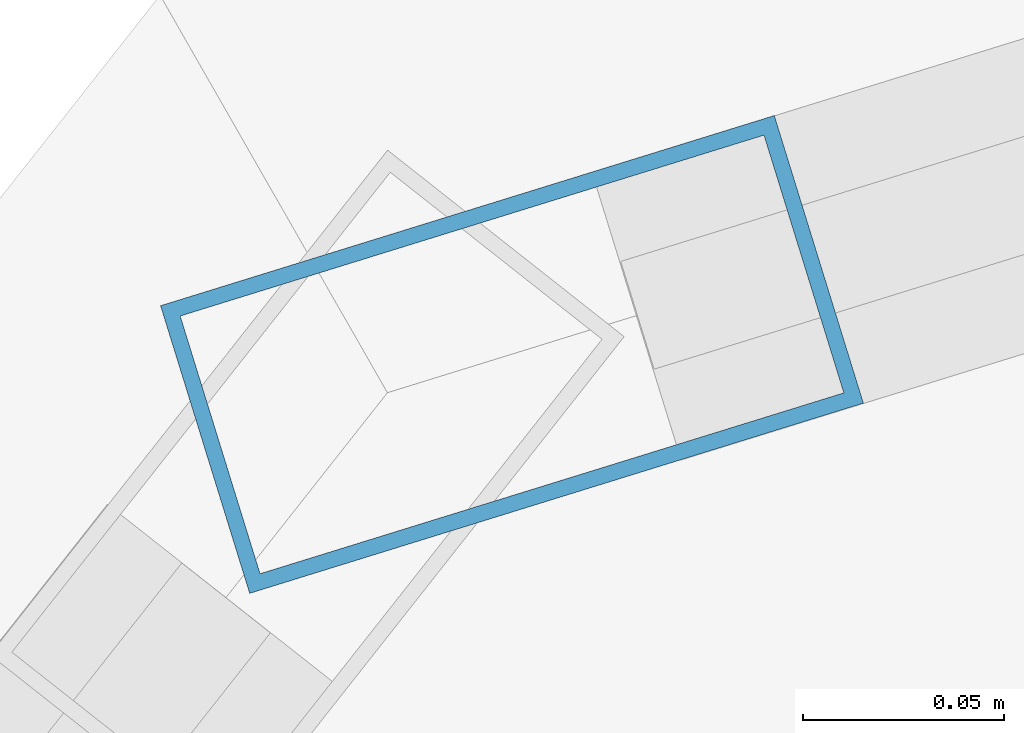
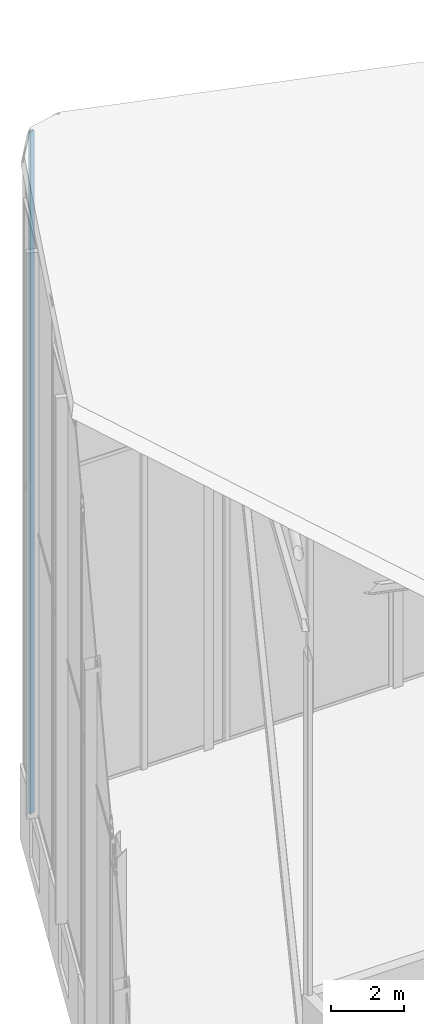
# One storey, part 40 of 74: 1 member, 1 element without a shape of its own.
"""IFC4 building model written with IfcOpenShell, lengths in metres."""

from ifc_helpers import new_model, si_unit, direction, frame, origin, origin_2d, place, context, subcontext, project, spatial, hollow_rectangle, extrude, material, layer, layer_set, material_profile, profile_set, type_object, element, aggregate, save


model = new_model("IFC4")

# Units and contexts
model_context = context("Model", 3, precision=1e-05, world=origin(), true_north=direction((0.0, 1.0)))
body_context = subcontext(model_context, "Body", "Model", "MODEL_VIEW")
ifc_project = project(units=[si_unit("LENGTHUNIT", "METRE"), si_unit("AREAUNIT", "SQUARE_METRE"), si_unit("VOLUMEUNIT", "CUBIC_METRE"), si_unit("PLANEANGLEUNIT", "RADIAN"), si_unit("MASSUNIT", "GRAM", prefix="KILO")], contexts=[model_context])

# Site, building, storey
site_placement = place(None, origin())
site = spatial("IfcSite", under=ifc_project, at=site_placement, CompositionType="ELEMENT")
building_placement = place(site_placement, origin())
building = spatial("IfcBuilding", under=site, at=building_placement, Name="Keshet Zoharim Tower", CompositionType="ELEMENT")
storey_placement = place(building_placement, frame((0.0, 0.0, 320.0)))
storey = spatial("IfcBuildingStorey", under=building, at=storey_placement, Name="RF", CompositionType="ELEMENT", Elevation=320.0)

# Curtain wall, member
ifc_material = material(Name="Aluminium 6063-T6", Category="aluminium")
ifc_layer = layer(ifc_material, 0.260009765625)
ifc_layer_set = layer_set([ifc_layer], Name="Aluminium 6063-T6")
curtain_wall_type = type_object("IfcCurtainWallType", Name="CW-SYS-06", PredefinedType="NOTDEFINED", material=ifc_layer_set)
curtain_wall_placement = place(storey_placement, origin())
curtain_wall = element("IfcCurtainWall", 1, at=curtain_wall_placement, inside=storey, type_object=curtain_wall_type, Name="Slanted Crown Curtain Wall 10", PredefinedType="NOTDEFINED")
ifc_material_profile = material_profile(ifc_material, hollow_rectangle(XDim=0.074951171875, YDim=0.159912109375, WallThickness=0.00390625, at=origin_2d()), Name="MUL-75x160")
ifc_profile_set = profile_set([ifc_material_profile], Name="Aluminium 6063-T6")
member_type = type_object("IfcMemberType", Name="CWM-M15", PredefinedType="MULLION", material=ifc_profile_set)
member_placement = place(storey_placement, frame((15.27197265625, 53.55859375, 0.0), z_axis=(0.0, 0.0, 1.0), x_axis=(-0.295921857984, 0.955212151288, 0.0)))
member = element("IfcMember", 2, at=member_placement, type_object=member_type, Name="CW-06 mullion 1", PredefinedType="MULLION", context=body_context, shape_type="SweptSolid", body=[
    extrude(hollow_rectangle(XDim=0.074951171875, YDim=0.159912109375, WallThickness=0.00390625, at=origin_2d()), origin(), (0.0, 0.0, 1.0), 22.864013671875),
])
aggregate(curtain_wall, [member])

save(model, "model.ifc")
